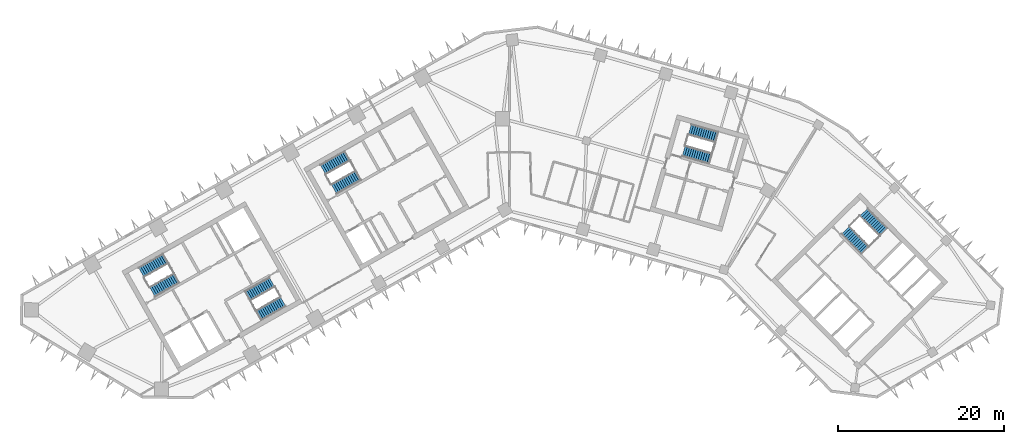
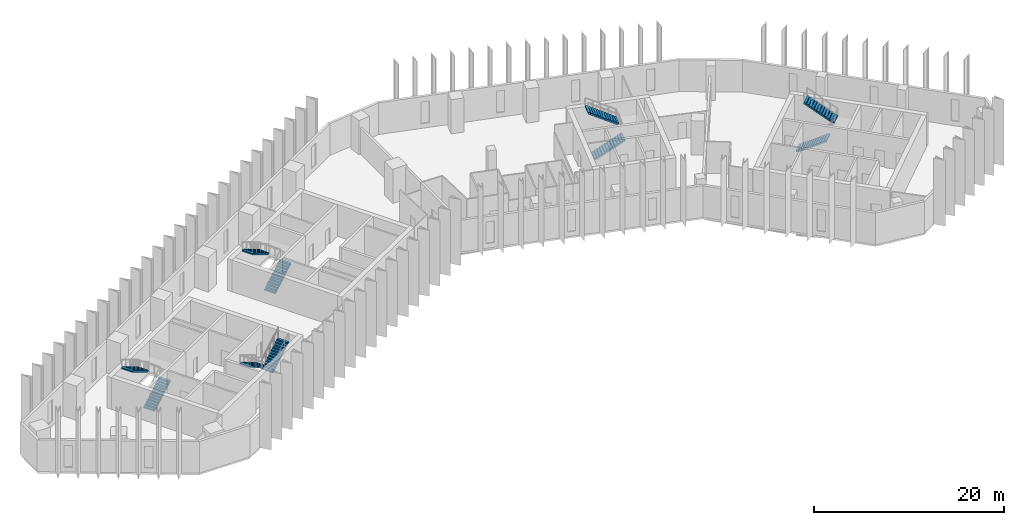
# One storey, part 8 of 11: 10 stair flights, 5 elements without a shape of their own.
"""IFC4 building model written with IfcOpenShell, lengths in metres."""

from ifc_helpers import new_model, si_unit, direction, frame, origin, place, context, subcontext, project, spatial, polyline, outline, extrude, material, type_object, element, aggregate, save


model = new_model("IFC4")

# Units and contexts
model_context = context("Model", 3, precision=1e-05, world=origin(), true_north=direction((0.0, 1.0)))
body_context = subcontext(model_context, "Body", "Model", "MODEL_VIEW")
ifc_project = project(units=[si_unit("LENGTHUNIT", "METRE"), si_unit("AREAUNIT", "SQUARE_METRE"), si_unit("VOLUMEUNIT", "CUBIC_METRE"), si_unit("PLANEANGLEUNIT", "RADIAN"), si_unit("MASSUNIT", "GRAM", prefix="KILO")], contexts=[model_context])

# Site, building, storey
site_placement = place(None, origin())
site = spatial("IfcSite", under=ifc_project, at=site_placement, CompositionType="ELEMENT")
building_placement = place(site_placement, origin())
building = spatial("IfcBuilding", under=site, at=building_placement, Name="Binnacle Exchange Tower", CompositionType="ELEMENT")
storey_placement = place(building_placement, frame((0.0, 0.0, 132.300048828125)))
storey = spatial("IfcBuildingStorey", under=building, at=storey_placement, Name="L27", CompositionType="ELEMENT", Elevation=132.300048828125)

# Stair, stair flights
ifc_material = material(Name="Concrete C35/45", Category="concrete")
stair_type = type_object("IfcStairType", Name="STAIR 26 RISERS 169", PredefinedType="HALF_TURN_STAIR", material=ifc_material)
stair_1_placement = place(storey_placement, origin())
stair_1 = element("IfcStair", 1, at=stair_1_placement, inside=storey, type_object=stair_type, Name="L27 Escape stair A1", PredefinedType="HALF_TURN_STAIR")
stair_flight_type = type_object("IfcStairFlightType", Name="STAIR FLIGHT 169X280", PredefinedType="STRAIGHT", material=ifc_material)
stair_flight_1_placement = place(storey_placement, frame((-42.9541015625, 39.17333984375, 0.0), z_axis=(0.0, 0.0, 1.0), x_axis=(0.870355584213, 0.492423757581, 0.0)))
stair_flight_1 = element("IfcStairFlight", 2, at=stair_flight_1_placement, type_object=stair_flight_type, Name="STA1 flight 1", NumberOfRisers=13, NumberOfTreads=12, PredefinedType="STRAIGHT", RiserHeight=0.169230769, TreadLength=0.28, context=body_context, shape_type="SweptSolid", body=[
    extrude(outline(polyline([(0.0, 0.0), (0.0, 0.169189453125), (0.280029296875, 0.169189453125), (0.280029296875, 0.33837890625), (0.56005859375, 0.33837890625), (0.56005859375, 0.5078125), (0.840087890625, 0.5078125), (0.840087890625, 0.677001953125), (1.1201171875, 0.677001953125), (1.1201171875, 0.84619140625), (1.39990234375, 0.84619140625), (1.39990234375, 1.015380859375), (1.679931640625, 1.015380859375), (1.679931640625, 1.1845703125), (1.9599609375, 1.1845703125), (1.9599609375, 1.353759765625), (2.239990234375, 1.353759765625), (2.239990234375, 1.523193359375), (2.52001953125, 1.523193359375), (2.52001953125, 1.6923828125), (2.800048828125, 1.6923828125), (2.800048828125, 1.861572265625), (3.080078125, 1.861572265625), (3.080078125, 2.03076171875), (3.360107421875, 2.03076171875), (3.360107421875, 2.199951171875), (3.360107421875, 1.855712890625), (0.289794921875, 0.0), (0.0, 0.0)])), frame((0.0, 0.675048828125, 0.0), z_axis=(0.0, -1.0, 0.0), x_axis=(1.0, 0.0, 0.0)), (0.0, 0.0, 1.0), 1.35009765625),
])
stair_flight_2_placement = place(storey_placement, frame((-41.359130859375, 43.177978515625, 2.199951171875), z_axis=(0.0, 0.0, 1.0), x_axis=(-0.870355584213, -0.492423757581, 0.0)))
stair_flight_2 = element("IfcStairFlight", 3, at=stair_flight_2_placement, type_object=stair_flight_type, Name="STA1 flight 2", NumberOfRisers=13, NumberOfTreads=12, PredefinedType="STRAIGHT", RiserHeight=0.169230769, TreadLength=0.28, context=body_context, shape_type="SweptSolid", body=[
    extrude(outline(polyline([(0.0, 0.0), (0.0, 0.169189453125), (0.280029296875, 0.169189453125), (0.280029296875, 0.33837890625), (0.56005859375, 0.33837890625), (0.56005859375, 0.5078125), (0.840087890625, 0.5078125), (0.840087890625, 0.677001953125), (1.1201171875, 0.677001953125), (1.1201171875, 0.84619140625), (1.39990234375, 0.84619140625), (1.39990234375, 1.015380859375), (1.679931640625, 1.015380859375), (1.679931640625, 1.1845703125), (1.9599609375, 1.1845703125), (1.9599609375, 1.353759765625), (2.239990234375, 1.353759765625), (2.239990234375, 1.523193359375), (2.52001953125, 1.523193359375), (2.52001953125, 1.6923828125), (2.800048828125, 1.6923828125), (2.800048828125, 1.861572265625), (3.080078125, 1.861572265625), (3.080078125, 2.03076171875), (3.360107421875, 2.03076171875), (3.360107421875, 2.199951171875), (3.360107421875, 1.855712890625), (0.289794921875, 0.0), (0.0, 0.0)])), frame((0.0, 0.675048828125, 0.0), z_axis=(0.0, -1.0, 0.0), x_axis=(1.0, 0.0, 0.0)), (0.0, 0.0, 1.0), 1.35009765625),
])
aggregate(stair_1, [stair_flight_1, stair_flight_2])

stair_2_placement = place(storey_placement, origin())
stair_2 = element("IfcStair", 4, at=stair_2_placement, inside=storey, type_object=stair_type, Name="L27 Escape stair A2", PredefinedType="HALF_TURN_STAIR")
stair_flight_3_placement = place(storey_placement, frame((-28.5732421875, 40.3583984375, 0.0), z_axis=(0.0, 0.0, 1.0), x_axis=(-0.870355584213, -0.492423757581, 0.0)))
stair_flight_3 = element("IfcStairFlight", 5, at=stair_flight_3_placement, type_object=stair_flight_type, Name="STA2 flight 1", NumberOfRisers=13, NumberOfTreads=12, PredefinedType="STRAIGHT", RiserHeight=0.169230769, TreadLength=0.28, context=body_context, shape_type="SweptSolid", body=[
    extrude(outline(polyline([(0.0, 0.0), (0.0, 0.169189453125), (0.280029296875, 0.169189453125), (0.280029296875, 0.33837890625), (0.56005859375, 0.33837890625), (0.56005859375, 0.5078125), (0.840087890625, 0.5078125), (0.840087890625, 0.677001953125), (1.1201171875, 0.677001953125), (1.1201171875, 0.84619140625), (1.39990234375, 0.84619140625), (1.39990234375, 1.015380859375), (1.679931640625, 1.015380859375), (1.679931640625, 1.1845703125), (1.9599609375, 1.1845703125), (1.9599609375, 1.353759765625), (2.239990234375, 1.353759765625), (2.239990234375, 1.523193359375), (2.52001953125, 1.523193359375), (2.52001953125, 1.6923828125), (2.800048828125, 1.6923828125), (2.800048828125, 1.861572265625), (3.080078125, 1.861572265625), (3.080078125, 2.03076171875), (3.360107421875, 2.03076171875), (3.360107421875, 2.199951171875), (3.360107421875, 1.855712890625), (0.289794921875, 0.0), (0.0, 0.0)])), frame((0.0, 0.675048828125, 0.0), z_axis=(0.0, -1.0, 0.0), x_axis=(1.0, 0.0, 0.0)), (0.0, 0.0, 1.0), 1.35009765625),
])
stair_flight_4_placement = place(storey_placement, frame((-30.16796875, 36.35400390625, 2.199951171875), z_axis=(0.0, 0.0, 1.0), x_axis=(0.870355584213, 0.492423757581, 0.0)))
stair_flight_4 = element("IfcStairFlight", 6, at=stair_flight_4_placement, type_object=stair_flight_type, Name="STA2 flight 2", NumberOfRisers=13, NumberOfTreads=12, PredefinedType="STRAIGHT", RiserHeight=0.169230769, TreadLength=0.28, context=body_context, shape_type="SweptSolid", body=[
    extrude(outline(polyline([(0.0, 0.0), (0.0, 0.169189453125), (0.280029296875, 0.169189453125), (0.280029296875, 0.33837890625), (0.56005859375, 0.33837890625), (0.56005859375, 0.5078125), (0.840087890625, 0.5078125), (0.840087890625, 0.677001953125), (1.1201171875, 0.677001953125), (1.1201171875, 0.84619140625), (1.39990234375, 0.84619140625), (1.39990234375, 1.015380859375), (1.679931640625, 1.015380859375), (1.679931640625, 1.1845703125), (1.9599609375, 1.1845703125), (1.9599609375, 1.353759765625), (2.239990234375, 1.353759765625), (2.239990234375, 1.523193359375), (2.52001953125, 1.523193359375), (2.52001953125, 1.6923828125), (2.800048828125, 1.6923828125), (2.800048828125, 1.861572265625), (3.080078125, 1.861572265625), (3.080078125, 2.03076171875), (3.360107421875, 2.03076171875), (3.360107421875, 2.199951171875), (3.360107421875, 1.855712890625), (0.289794921875, 0.0), (0.0, 0.0)])), frame((0.0, 0.675048828125, 0.0), z_axis=(0.0, -1.0, 0.0), x_axis=(1.0, 0.0, 0.0)), (0.0, 0.0, 1.0), 1.35009765625),
])
aggregate(stair_2, [stair_flight_3, stair_flight_4])

stair_3_placement = place(storey_placement, origin())
stair_3 = element("IfcStair", 7, at=stair_3_placement, inside=storey, type_object=stair_type, Name="L27 Escape stair B1", PredefinedType="HALF_TURN_STAIR")
stair_flight_5_placement = place(storey_placement, frame((40.376708984375, 46.608642578125, 0.0), z_axis=(0.0, 0.0, 1.0), x_axis=(0.70090935144, -0.713250363522, 0.0)))
stair_flight_5 = element("IfcStairFlight", 8, at=stair_flight_5_placement, type_object=stair_flight_type, Name="STB1 flight 1", NumberOfRisers=13, NumberOfTreads=12, PredefinedType="STRAIGHT", RiserHeight=0.169230769, TreadLength=0.28, context=body_context, shape_type="SweptSolid", body=[
    extrude(outline(polyline([(0.0, 0.0), (0.0, 0.169189453125), (0.280029296875, 0.169189453125), (0.280029296875, 0.33837890625), (0.56005859375, 0.33837890625), (0.56005859375, 0.5078125), (0.840087890625, 0.5078125), (0.840087890625, 0.677001953125), (1.1201171875, 0.677001953125), (1.1201171875, 0.84619140625), (1.39990234375, 0.84619140625), (1.39990234375, 1.015380859375), (1.679931640625, 1.015380859375), (1.679931640625, 1.1845703125), (1.9599609375, 1.1845703125), (1.9599609375, 1.353759765625), (2.239990234375, 1.353759765625), (2.239990234375, 1.523193359375), (2.52001953125, 1.523193359375), (2.52001953125, 1.6923828125), (2.800048828125, 1.6923828125), (2.800048828125, 1.861572265625), (3.080078125, 1.861572265625), (3.080078125, 2.03076171875), (3.360107421875, 2.03076171875), (3.360107421875, 2.199951171875), (3.360107421875, 1.855712890625), (0.289794921875, 0.0), (0.0, 0.0)])), frame((0.0, 0.675048828125, 0.0), z_axis=(0.0, -1.0, 0.0), x_axis=(1.0, 0.0, 0.0)), (0.0, 0.0, 1.0), 1.35009765625),
])
stair_flight_6_placement = place(storey_placement, frame((44.94287109375, 46.385009765625, 2.199951171875), z_axis=(0.0, 0.0, 1.0), x_axis=(-0.70090935144, 0.713250363522, 0.0)))
stair_flight_6 = element("IfcStairFlight", 9, at=stair_flight_6_placement, type_object=stair_flight_type, Name="STB1 flight 2", NumberOfRisers=13, NumberOfTreads=12, PredefinedType="STRAIGHT", RiserHeight=0.169230769, TreadLength=0.28, context=body_context, shape_type="SweptSolid", body=[
    extrude(outline(polyline([(0.0, 0.0), (0.0, 0.169189453125), (0.280029296875, 0.169189453125), (0.280029296875, 0.33837890625), (0.56005859375, 0.33837890625), (0.56005859375, 0.5078125), (0.840087890625, 0.5078125), (0.840087890625, 0.677001953125), (1.1201171875, 0.677001953125), (1.1201171875, 0.84619140625), (1.39990234375, 0.84619140625), (1.39990234375, 1.015380859375), (1.679931640625, 1.015380859375), (1.679931640625, 1.1845703125), (1.9599609375, 1.1845703125), (1.9599609375, 1.353759765625), (2.239990234375, 1.353759765625), (2.239990234375, 1.523193359375), (2.52001953125, 1.523193359375), (2.52001953125, 1.6923828125), (2.800048828125, 1.6923828125), (2.800048828125, 1.861572265625), (3.080078125, 1.861572265625), (3.080078125, 2.03076171875), (3.360107421875, 2.03076171875), (3.360107421875, 2.199951171875), (3.360107421875, 1.855712890625), (0.289794921875, 0.0), (0.0, 0.0)])), frame((0.0, 0.675048828125, 0.0), z_axis=(0.0, -1.0, 0.0), x_axis=(1.0, 0.0, 0.0)), (0.0, 0.0, 1.0), 1.35009765625),
])
aggregate(stair_3, [stair_flight_5, stair_flight_6])

stair_4_placement = place(storey_placement, origin())
stair_4 = element("IfcStair", 10, at=stair_4_placement, inside=storey, type_object=stair_type, Name="L27 Escape stair C1", PredefinedType="HALF_TURN_STAIR")
stair_flight_7_placement = place(storey_placement, frame((-21.115966796875, 51.528564453125, 0.0), z_axis=(0.0, 0.0, 1.0), x_axis=(0.870355584213, 0.492423757581, 0.0)))
stair_flight_7 = element("IfcStairFlight", 11, at=stair_flight_7_placement, type_object=stair_flight_type, Name="STC1 flight 1", NumberOfRisers=13, NumberOfTreads=12, PredefinedType="STRAIGHT", RiserHeight=0.169230769, TreadLength=0.28, context=body_context, shape_type="SweptSolid", body=[
    extrude(outline(polyline([(0.0, 0.0), (0.0, 0.169189453125), (0.280029296875, 0.169189453125), (0.280029296875, 0.33837890625), (0.56005859375, 0.33837890625), (0.56005859375, 0.5078125), (0.840087890625, 0.5078125), (0.840087890625, 0.677001953125), (1.1201171875, 0.677001953125), (1.1201171875, 0.84619140625), (1.39990234375, 0.84619140625), (1.39990234375, 1.015380859375), (1.679931640625, 1.015380859375), (1.679931640625, 1.1845703125), (1.9599609375, 1.1845703125), (1.9599609375, 1.353759765625), (2.239990234375, 1.353759765625), (2.239990234375, 1.523193359375), (2.52001953125, 1.523193359375), (2.52001953125, 1.6923828125), (2.800048828125, 1.6923828125), (2.800048828125, 1.861572265625), (3.080078125, 1.861572265625), (3.080078125, 2.03076171875), (3.360107421875, 2.03076171875), (3.360107421875, 2.199951171875), (3.360107421875, 1.855712890625), (0.289794921875, 0.0), (0.0, 0.0)])), frame((0.0, 0.675048828125, 0.0), z_axis=(0.0, -1.0, 0.0), x_axis=(1.0, 0.0, 0.0)), (0.0, 0.0, 1.0), 1.35009765625),
])
stair_flight_8_placement = place(storey_placement, frame((-19.521240234375, 55.533203125, 2.199951171875), z_axis=(0.0, 0.0, 1.0), x_axis=(-0.870355584213, -0.492423757581, 0.0)))
stair_flight_8 = element("IfcStairFlight", 12, at=stair_flight_8_placement, type_object=stair_flight_type, Name="STC1 flight 2", NumberOfRisers=13, NumberOfTreads=12, PredefinedType="STRAIGHT", RiserHeight=0.169230769, TreadLength=0.28, context=body_context, shape_type="SweptSolid", body=[
    extrude(outline(polyline([(0.0, 0.0), (0.0, 0.169189453125), (0.280029296875, 0.169189453125), (0.280029296875, 0.33837890625), (0.56005859375, 0.33837890625), (0.56005859375, 0.5078125), (0.840087890625, 0.5078125), (0.840087890625, 0.677001953125), (1.1201171875, 0.677001953125), (1.1201171875, 0.84619140625), (1.39990234375, 0.84619140625), (1.39990234375, 1.015380859375), (1.679931640625, 1.015380859375), (1.679931640625, 1.1845703125), (1.9599609375, 1.1845703125), (1.9599609375, 1.353759765625), (2.239990234375, 1.353759765625), (2.239990234375, 1.523193359375), (2.52001953125, 1.523193359375), (2.52001953125, 1.6923828125), (2.800048828125, 1.6923828125), (2.800048828125, 1.861572265625), (3.080078125, 1.861572265625), (3.080078125, 2.03076171875), (3.360107421875, 2.03076171875), (3.360107421875, 2.199951171875), (3.360107421875, 1.855712890625), (0.289794921875, 0.0), (0.0, 0.0)])), frame((0.0, 0.675048828125, 0.0), z_axis=(0.0, -1.0, 0.0), x_axis=(1.0, 0.0, 0.0)), (0.0, 0.0, 1.0), 1.35009765625),
])
aggregate(stair_4, [stair_flight_7, stair_flight_8])

stair_5_placement = place(storey_placement, origin())
stair_5 = element("IfcStair", 13, at=stair_5_placement, inside=storey, type_object=stair_type, Name="L27 Escape stair D1", PredefinedType="HALF_TURN_STAIR")
stair_flight_9_placement = place(storey_placement, frame((20.914306640625, 56.109619140625, 0.0), z_axis=(0.0, 0.0, 1.0), x_axis=(0.961261811397, -0.275636953165, 0.0)))
stair_flight_9 = element("IfcStairFlight", 14, at=stair_flight_9_placement, type_object=stair_flight_type, Name="STD1 flight 1", NumberOfRisers=13, NumberOfTreads=12, PredefinedType="STRAIGHT", RiserHeight=0.169230769, TreadLength=0.28, context=body_context, shape_type="SweptSolid", body=[
    extrude(outline(polyline([(0.0, 0.0), (0.0, 0.169189453125), (0.280029296875, 0.169189453125), (0.280029296875, 0.33837890625), (0.56005859375, 0.33837890625), (0.56005859375, 0.5078125), (0.840087890625, 0.5078125), (0.840087890625, 0.677001953125), (1.1201171875, 0.677001953125), (1.1201171875, 0.84619140625), (1.39990234375, 0.84619140625), (1.39990234375, 1.015380859375), (1.679931640625, 1.015380859375), (1.679931640625, 1.1845703125), (1.9599609375, 1.1845703125), (1.9599609375, 1.353759765625), (2.239990234375, 1.353759765625), (2.239990234375, 1.523193359375), (2.52001953125, 1.523193359375), (2.52001953125, 1.6923828125), (2.800048828125, 1.6923828125), (2.800048828125, 1.861572265625), (3.080078125, 1.861572265625), (3.080078125, 2.03076171875), (3.360107421875, 2.03076171875), (3.360107421875, 2.199951171875), (3.360107421875, 1.855712890625), (0.289794921875, 0.0), (0.0, 0.0)])), frame((0.0, 0.675048828125, 0.0), z_axis=(0.0, -1.0, 0.0), x_axis=(1.0, 0.0, 0.0)), (0.0, 0.0, 1.0), 1.35009765625),
])
stair_flight_10_placement = place(storey_placement, frame((24.888427734375, 57.77880859375, 2.199951171875), z_axis=(0.0, 0.0, 1.0), x_axis=(-0.961261811397, 0.275636953165, 0.0)))
stair_flight_10 = element("IfcStairFlight", 15, at=stair_flight_10_placement, type_object=stair_flight_type, Name="STD1 flight 2", NumberOfRisers=13, NumberOfTreads=12, PredefinedType="STRAIGHT", RiserHeight=0.169230769, TreadLength=0.28, context=body_context, shape_type="SweptSolid", body=[
    extrude(outline(polyline([(0.0, 0.0), (0.0, 0.169189453125), (0.280029296875, 0.169189453125), (0.280029296875, 0.33837890625), (0.56005859375, 0.33837890625), (0.56005859375, 0.5078125), (0.840087890625, 0.5078125), (0.840087890625, 0.677001953125), (1.1201171875, 0.677001953125), (1.1201171875, 0.84619140625), (1.39990234375, 0.84619140625), (1.39990234375, 1.015380859375), (1.679931640625, 1.015380859375), (1.679931640625, 1.1845703125), (1.9599609375, 1.1845703125), (1.9599609375, 1.353759765625), (2.239990234375, 1.353759765625), (2.239990234375, 1.523193359375), (2.52001953125, 1.523193359375), (2.52001953125, 1.6923828125), (2.800048828125, 1.6923828125), (2.800048828125, 1.861572265625), (3.080078125, 1.861572265625), (3.080078125, 2.03076171875), (3.360107421875, 2.03076171875), (3.360107421875, 2.199951171875), (3.360107421875, 1.855712890625), (0.289794921875, 0.0), (0.0, 0.0)])), frame((0.0, 0.675048828125, 0.0), z_axis=(0.0, -1.0, 0.0), x_axis=(1.0, 0.0, 0.0)), (0.0, 0.0, 1.0), 1.35009765625),
])
aggregate(stair_5, [stair_flight_9, stair_flight_10])

save(model, "model.ifc")
